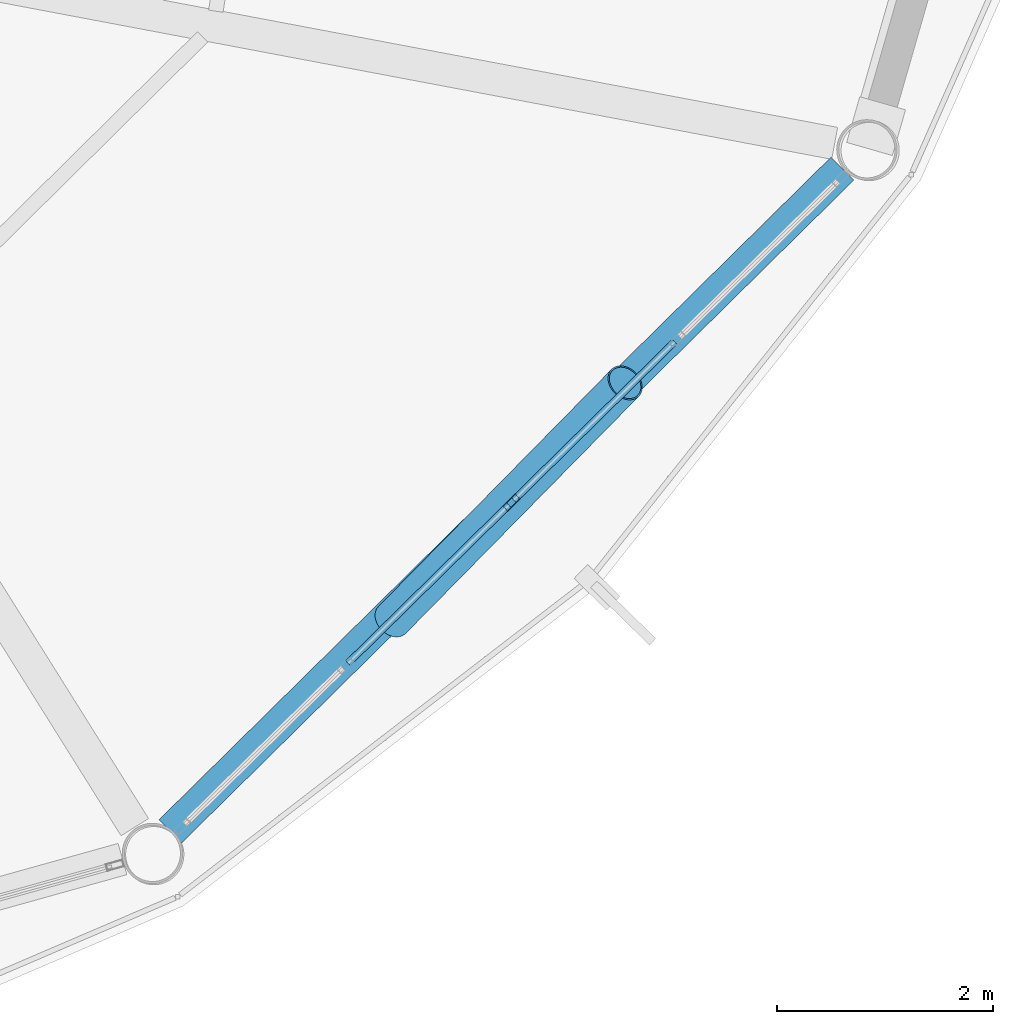
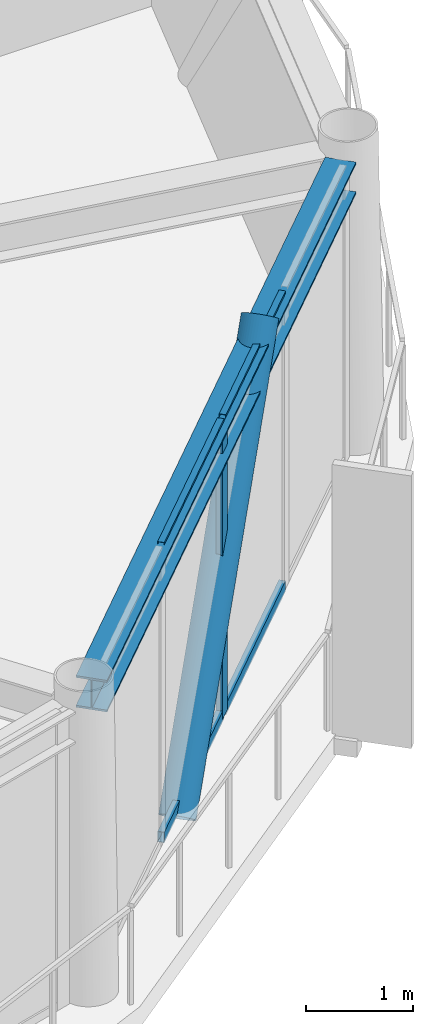
# One storey, part 9 of 27: 6 members, 1 beam, 1 element without a shape of its own.
"""IFC4 building model written with IfcOpenShell, lengths in metres."""

from ifc_helpers import new_model, si_unit, direction, frame, origin, origin_2d, place, context, subcontext, project, spatial, hollow_rectangle, hollow_circle, i_section, extrude, material, layer, layer_set, material_profile, profile_set, type_object, element, aggregate, save


model = new_model("IFC4")

# Units and contexts
model_context = context("Model", 3, precision=1e-05, world=origin(), true_north=direction((0.0, 1.0)))
body_context = subcontext(model_context, "Body", "Model", "MODEL_VIEW")
ifc_project = project(units=[si_unit("LENGTHUNIT", "METRE"), si_unit("AREAUNIT", "SQUARE_METRE"), si_unit("VOLUMEUNIT", "CUBIC_METRE"), si_unit("PLANEANGLEUNIT", "RADIAN"), si_unit("MASSUNIT", "GRAM", prefix="KILO")], contexts=[model_context])

# Site, building, storey
site_placement = place(None, origin())
site = spatial("IfcSite", under=ifc_project, at=site_placement, CompositionType="ELEMENT")
building_placement = place(site_placement, origin())
building = spatial("IfcBuilding", under=site, at=building_placement, Name="Varnakorn Sky Granary", CompositionType="ELEMENT")
storey_placement = place(building_placement, frame((0.0, 0.0, 263.39990234375)))
storey = spatial("IfcBuildingStorey", under=building, at=storey_placement, Name="L67", CompositionType="ELEMENT", Elevation=263.39990234375)

# Beam
ifc_material_1 = material(Name="Steel S355JR", Category="steel")
ifc_material_profile_1 = material_profile(ifc_material_1, i_section(OverallWidth=0.300048828125, OverallDepth=0.360107421875, WebThickness=0.012451171875, FlangeThickness=0.0224609375, at=origin_2d()), Name="HE 360 B")
ifc_profile_set_1 = profile_set([ifc_material_profile_1], Name="Steel S355JR")
beam_type = type_object("IfcBeamType", Name="BM-SPD-Z5", PredefinedType="SPANDREL", material=ifc_profile_set_1)
beam_placement = place(storey_placement, frame((14.048828125, -15.201904296875, 3.18017578125), z_axis=(0.712078619824, 0.702099735927, 0.0), x_axis=(-0.702099735927, 0.712078619824, 0.0)))
element("IfcBeam", 1, at=beam_placement, inside=storey, type_object=beam_type, Name="Perimeter Spandrel Ring Beam RB11 L67", PredefinedType="SPANDREL", context=body_context, shape_type="SweptSolid", body=[
    extrude(i_section(OverallWidth=0.300048828125, OverallDepth=0.360107421875, WebThickness=0.012451171875, FlangeThickness=0.0224609375, at=origin_2d()), origin(), (0.0, 0.0, 1.0), 8.734375),
])

# Curtain wall, members
ifc_material_2 = material(Name="Anodised Bronze Aluminium Alloy 6063-T6", Category="aluminium")
ifc_layer = layer(ifc_material_2, 0.159912109375, Name="Anodised Bronze Aluminium Alloy 6063-T6")
ifc_layer_set = layer_set([ifc_layer], Name="Anodised Bronze Aluminium Alloy 6063-T6")
curtain_wall_type = type_object("IfcCurtainWallType", Name="CW-OFF-1", PredefinedType="USERDEFINED", material=ifc_layer_set)
curtain_wall_placement = place(storey_placement, origin())
curtain_wall = element("IfcCurtainWall", 2, at=curtain_wall_placement, inside=storey, type_object=curtain_wall_type, Name="Unitised Curtain Wall CW6 CW-L67-B11", ObjectType="CURTAIN WALL", PredefinedType="USERDEFINED")
ifc_material_profile_2 = material_profile(ifc_material_2, hollow_rectangle(XDim=0.06494140625, YDim=0.159912109375, WallThickness=0.00341796875, at=origin_2d()), Name="ALU MULL 65x160")
ifc_profile_set_2 = profile_set([ifc_material_profile_2], Name="Anodised Bronze Aluminium Alloy 6063-T6")
member_type_1 = type_object("IfcMemberType", Name="CW-OFF-1-MULL", PredefinedType="MULLION", material=ifc_profile_set_2)
member_1_placement = place(storey_placement, frame((17.205078125, -12.158935546875, 0.0), z_axis=(0.0, 0.0, 1.0), x_axis=(0.701440030116, -0.71272847856, 0.0)))
member_1 = element("IfcMember", 3, at=member_1_placement, type_object=member_type_1, Name="CW6 mullion 3", PredefinedType="MULLION", context=body_context, shape_type="SweptSolid", body=[
    extrude(hollow_rectangle(XDim=0.06494140625, YDim=0.159912109375, WallThickness=0.00341796875, at=origin_2d()), origin(), (0.0, 0.0, 1.0), 3.360107421875),
])
ifc_material_profile_3 = material_profile(ifc_material_2, hollow_rectangle(XDim=0.06494140625, YDim=0.1201171875, WallThickness=0.00341796875, at=origin_2d()), Name="ALU TRAN 65x120")
ifc_profile_set_3 = profile_set([ifc_material_profile_3], Name="Anodised Bronze Aluminium Alloy 6063-T6")
member_type_2 = type_object("IfcMemberType", Name="CW-OFF-1-TRAN", PredefinedType="USERDEFINED", material=ifc_profile_set_3)
member_2_placement = place(storey_placement, frame((18.716064453125, -10.671875, 0.03271484375), z_axis=(-0.712698135918, -0.701470859737, 0.0), x_axis=(0.701470859737, -0.712698135918, 0.0)))
member_2 = element("IfcMember", 4, at=member_2_placement, type_object=member_type_2, Name="CW6 transom 2.1", ObjectType="TRANSOM", PredefinedType="USERDEFINED", context=body_context, shape_type="SweptSolid", body=[
    extrude(hollow_rectangle(XDim=0.06494140625, YDim=0.1201171875, WallThickness=0.00341796875, at=origin_2d()), origin(), (0.0, 0.0, 1.0), 2.087646484375),
])
member_3_placement = place(storey_placement, frame((18.716064453125, -10.671875, 3.32763671875), z_axis=(-0.712698135918, -0.701470859737, 0.0), x_axis=(0.701470859737, -0.712698135918, 0.0)))
member_3 = element("IfcMember", 5, at=member_3_placement, type_object=member_type_2, Name="CW6 transom 2.2", ObjectType="TRANSOM", PredefinedType="USERDEFINED", context=body_context, shape_type="SweptSolid", body=[
    extrude(hollow_rectangle(XDim=0.06494140625, YDim=0.1201171875, WallThickness=0.00341796875, at=origin_2d()), origin(), (0.0, 0.0, 1.0), 2.087646484375),
])
member_4_placement = place(storey_placement, frame((17.181884765625, -12.181884765625, 0.03271484375), z_axis=(-0.712755675691, -0.701412394224, 0.0), x_axis=(0.701412394224, -0.712755675691, 0.0)))
member_4 = element("IfcMember", 6, at=member_4_placement, type_object=member_type_2, Name="CW6 transom 3.1", ObjectType="TRANSOM", PredefinedType="USERDEFINED", context=body_context, shape_type="SweptSolid", body=[
    extrude(hollow_rectangle(XDim=0.06494140625, YDim=0.1201171875, WallThickness=0.00341796875, at=origin_2d()), origin(), (0.0, 0.0, 1.0), 2.087646484375),
])
member_5_placement = place(storey_placement, frame((17.181884765625, -12.181884765625, 3.32763671875), z_axis=(-0.712755675691, -0.701412394224, 0.0), x_axis=(0.701412394224, -0.712755675691, 0.0)))
member_5 = element("IfcMember", 7, at=member_5_placement, type_object=member_type_2, Name="CW6 transom 3.2", ObjectType="TRANSOM", PredefinedType="USERDEFINED", context=body_context, shape_type="SweptSolid", body=[
    extrude(hollow_rectangle(XDim=0.06494140625, YDim=0.1201171875, WallThickness=0.00341796875, at=origin_2d()), origin(), (0.0, 0.0, 1.0), 2.087646484375),
])
aggregate(curtain_wall, [member_1, member_2, member_3, member_4, member_5])

# Member
ifc_material_3 = material(Name="Steel S460M", Category="steel")
ifc_material_profile_4 = material_profile(ifc_material_3, hollow_circle(Radius=0.177734375, WallThickness=0.01416015625, at=origin_2d()), Name="CHS 355.6x14")
ifc_profile_set_4 = profile_set([ifc_material_profile_4], Name="Steel S460M")
member_type_3 = type_object("IfcMemberType", Name="MB-DIAG-T5", PredefinedType="BRACE", material=ifc_profile_set_4)
member_6_placement = place(storey_placement, frame((16.1015625, -13.2451171875, -0.1298828125), z_axis=(0.453935093117, 0.461747381857, 0.762057928628), x_axis=(-0.71311362066, 0.701048474807, 0.0)))
element("IfcMember", 8, at=member_6_placement, inside=storey, type_object=member_type_3, Name="Perimeter CHS Diagrid Brace DG11 L67", PredefinedType="BRACE", context=body_context, shape_type="SweptSolid", body=[
    extrude(hollow_circle(Radius=0.177734375, WallThickness=0.01416015625, at=origin_2d()), origin(), (0.0, 0.0, 1.0), 4.750244140625),
])

save(model, "model.ifc")
